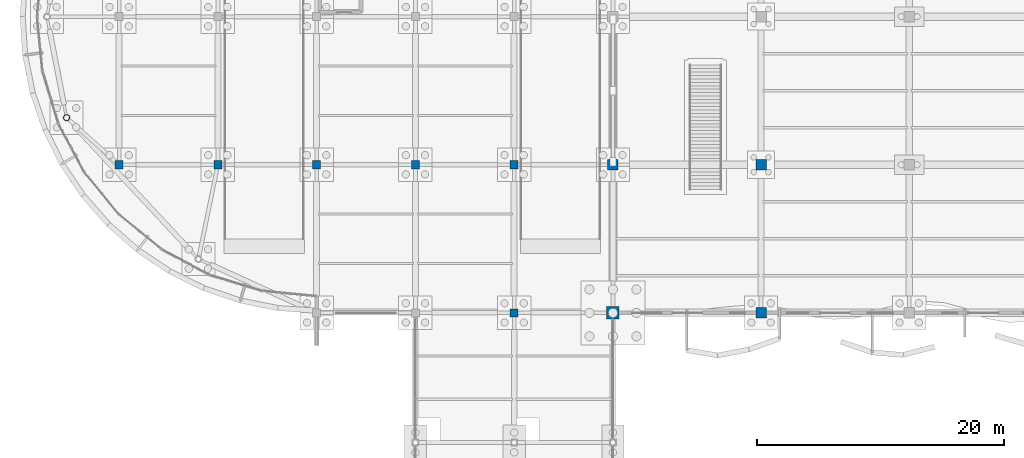
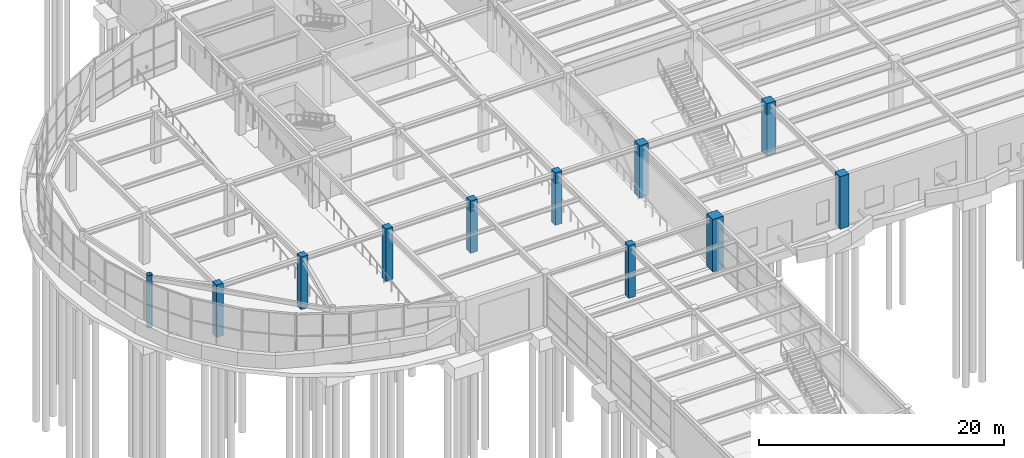
# One storey, part 12 of 85: 11 columns.
"""IFC4 building model written with IfcOpenShell, lengths in metres."""

from ifc_helpers import new_model, si_unit, direction, frame, origin, origin_2d, place, context, subcontext, project, spatial, rectangle, hollow_circle, extrude, material, material_profile, profile_set, type_object, element, save


model = new_model("IFC4")

# Units and contexts
model_context = context("Model", 3, precision=1e-05, world=origin(), true_north=direction((0.0, 1.0)))
body_context = subcontext(model_context, "Body", "Model", "MODEL_VIEW")
ifc_project = project(units=[si_unit("LENGTHUNIT", "METRE"), si_unit("AREAUNIT", "SQUARE_METRE"), si_unit("VOLUMEUNIT", "CUBIC_METRE"), si_unit("PLANEANGLEUNIT", "RADIAN"), si_unit("MASSUNIT", "GRAM", prefix="KILO")], contexts=[model_context])

# Site, building, storey
site_placement = place(None, origin())
site = spatial("IfcSite", under=ifc_project, at=site_placement, CompositionType="ELEMENT")
building_placement = place(site_placement, origin())
building = spatial("IfcBuilding", under=site, at=building_placement, Name="Keelwater Ferry Terminal", CompositionType="ELEMENT")
storey_placement = place(building_placement, origin())
storey = spatial("IfcBuildingStorey", under=building, at=storey_placement, Name="L00", CompositionType="ELEMENT", Elevation=0.0)

# Columns
ifc_material_1 = material(Name="Concrete C50/60", Category="concrete")
ifc_material_profile_1 = material_profile(ifc_material_1, rectangle(XDim=0.85009765625, YDim=0.85009765625, at=origin_2d()), Name="RC 850x850")
ifc_profile_set_1 = profile_set([ifc_material_profile_1], Name="Concrete C50/60")
column_type_1 = type_object("IfcColumnType", Name="C1 RC 850x850", PredefinedType="COLUMN", material=ifc_profile_set_1)
for number, where, z_axis, x_axis, name in (
    (1, (48.0, 54.0, 0.0), (0.0, 0.0, 1.0), (1.0, 0.0, 0.0), "Column CL-L00-0097"),
    (2, (60.0, 42.0, 0.0), (0.0, 0.0, 1.0), (1.0, 0.0, 0.0), "Column CL-L00-0113"),
    (3, (60.0, 54.0, 0.0), (0.0, 0.0, 1.0), (1.0, 0.0, 0.0), "Column CL-L00-0116"),
):
    element("IfcColumn", number, at=place(storey_placement, frame(where, z_axis=z_axis, x_axis=x_axis)), inside=storey, type_object=column_type_1, Name=name, PredefinedType="COLUMN", context=body_context, shape_type="SweptSolid", body=[
        extrude(rectangle(XDim=0.85009765625, YDim=0.85009765625, at=origin_2d()), origin(), (0.0, 0.0, 1.0), 5.239990234375),
    ])
ifc_material_2 = material(Name="Concrete C45/55", Category="concrete")
ifc_material_profile_2 = material_profile(ifc_material_2, rectangle(XDim=0.64990234375, YDim=0.64990234375, at=origin_2d()), Name="RC 650x650")
ifc_profile_set_2 = profile_set([ifc_material_profile_2], Name="Concrete C45/55")
column_type_2 = type_object("IfcColumnType", Name="C3 RC 650x650", PredefinedType="COLUMN", material=ifc_profile_set_2)
for number, where, z_axis, x_axis, name in (
    (4, (8.0, 54.0, 0.0), (0.0, 0.0, 1.0), (1.0, 0.0, 0.0), "Column CL-L00-0001"),
    (5, (16.0, 54.0, 0.0), (0.0, 0.0, 1.0), (1.0, 0.0, 0.0), "Column CL-L00-0010"),
    (6, (24.0, 54.0, 0.0), (0.0, 0.0, 1.0), (1.0, 0.0, 0.0), "Column CL-L00-0022"),
    (7, (32.0, 54.0, 0.0), (0.0, 0.0, 1.0), (1.0, 0.0, 0.0), "Column CL-L00-0047"),
    (8, (40.0, 42.0, 0.0), (0.0, 0.0, 1.0), (1.0, 0.0, 0.0), "Column CL-L00-0069"),
    (9, (40.0, 54.0, 0.0), (0.0, 0.0, 1.0), (1.0, 0.0, 0.0), "Column CL-L00-0072"),
):
    element("IfcColumn", number, at=place(storey_placement, frame(where, z_axis=z_axis, x_axis=x_axis)), inside=storey, type_object=column_type_2, Name=name, PredefinedType="COLUMN", context=body_context, shape_type="SweptSolid", body=[
        extrude(rectangle(XDim=0.64990234375, YDim=0.64990234375, at=origin_2d()), origin(), (0.0, 0.0, 1.0), 5.239990234375),
    ])
ifc_material_3 = material(Name="Steel S355", Category="steel")
ifc_material_profile_3 = material_profile(ifc_material_3, hollow_circle(Radius=0.25390625, WallThickness=0.02001953125, at=origin_2d()), Name="CHS 508x20")
ifc_profile_set_3 = profile_set([ifc_material_profile_3], Name="Steel S355")
column_type_3 = type_object("IfcColumnType", Name="C8E CHS 508x20", PredefinedType="COLUMN", material=ifc_profile_set_3)
column_1_placement = place(storey_placement, frame((3.740966796875, 57.81494140625, 0.0), z_axis=(0.0, 0.0, 1.0), x_axis=(1.0, 0.0, 0.0)))
element("IfcColumn", 10, at=column_1_placement, inside=storey, type_object=column_type_3, Name="Column CL-L00-0536", PredefinedType="COLUMN", context=body_context, shape_type="SweptSolid", body=[
    extrude(hollow_circle(Radius=0.25390625, WallThickness=0.02001953125, at=origin_2d()), origin(), (0.0, 0.0, 1.0), 5.239990234375),
])
ifc_material_4 = material(Name="Concrete C50/60", Category="concrete")
ifc_material_profile_4 = material_profile(ifc_material_4, rectangle(XDim=1.0, YDim=1.0, at=origin_2d()), Name="RC 1000x1000")
ifc_profile_set_4 = profile_set([ifc_material_profile_4], Name="Concrete C50/60")
column_type_4 = type_object("IfcColumnType", Name="MC1 RC 1000x1000", PredefinedType="COLUMN", material=ifc_profile_set_4)
column_2_placement = place(storey_placement, frame((48.0, 42.0, 0.0), z_axis=(0.0, 0.0, 1.0), x_axis=(1.0, 0.0, 0.0)))
element("IfcColumn", 11, at=column_2_placement, inside=storey, type_object=column_type_4, Name="Column CL-L00-0094", PredefinedType="COLUMN", context=body_context, shape_type="SweptSolid", body=[
    extrude(rectangle(XDim=1.0, YDim=1.0, at=origin_2d()), origin(), (0.0, 0.0, 1.0), 5.239990234375),
])

save(model, "model.ifc")
